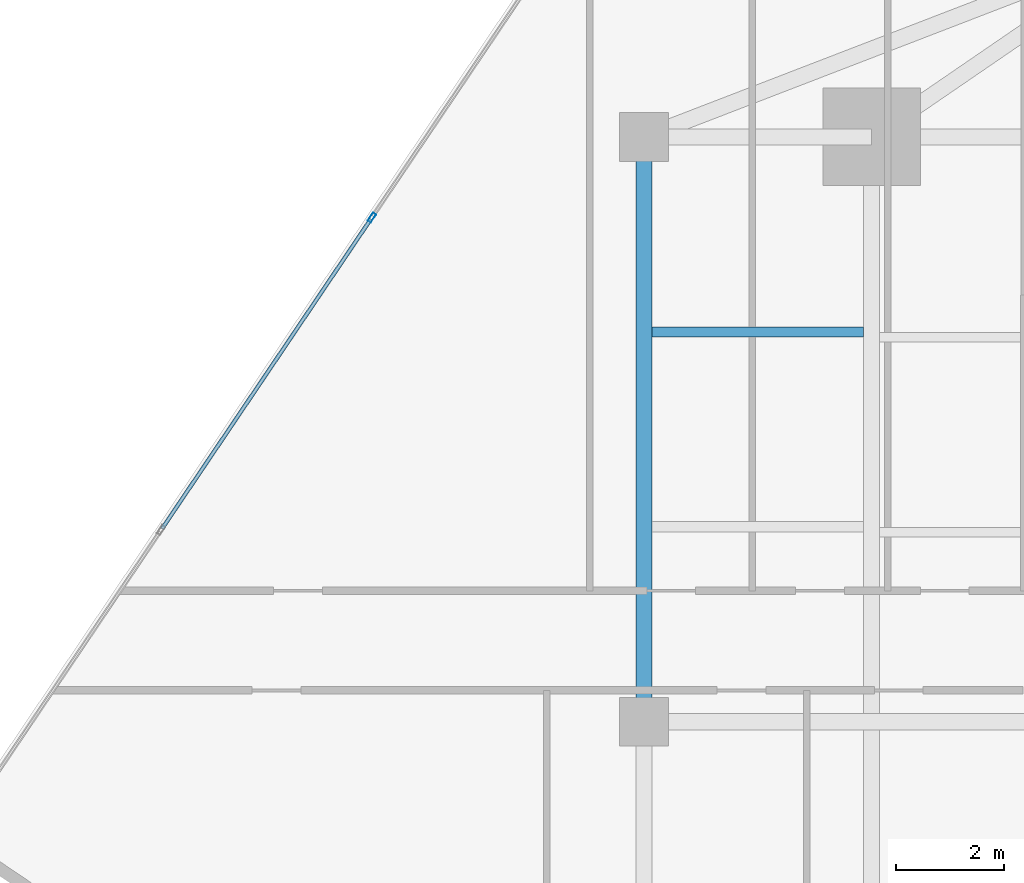
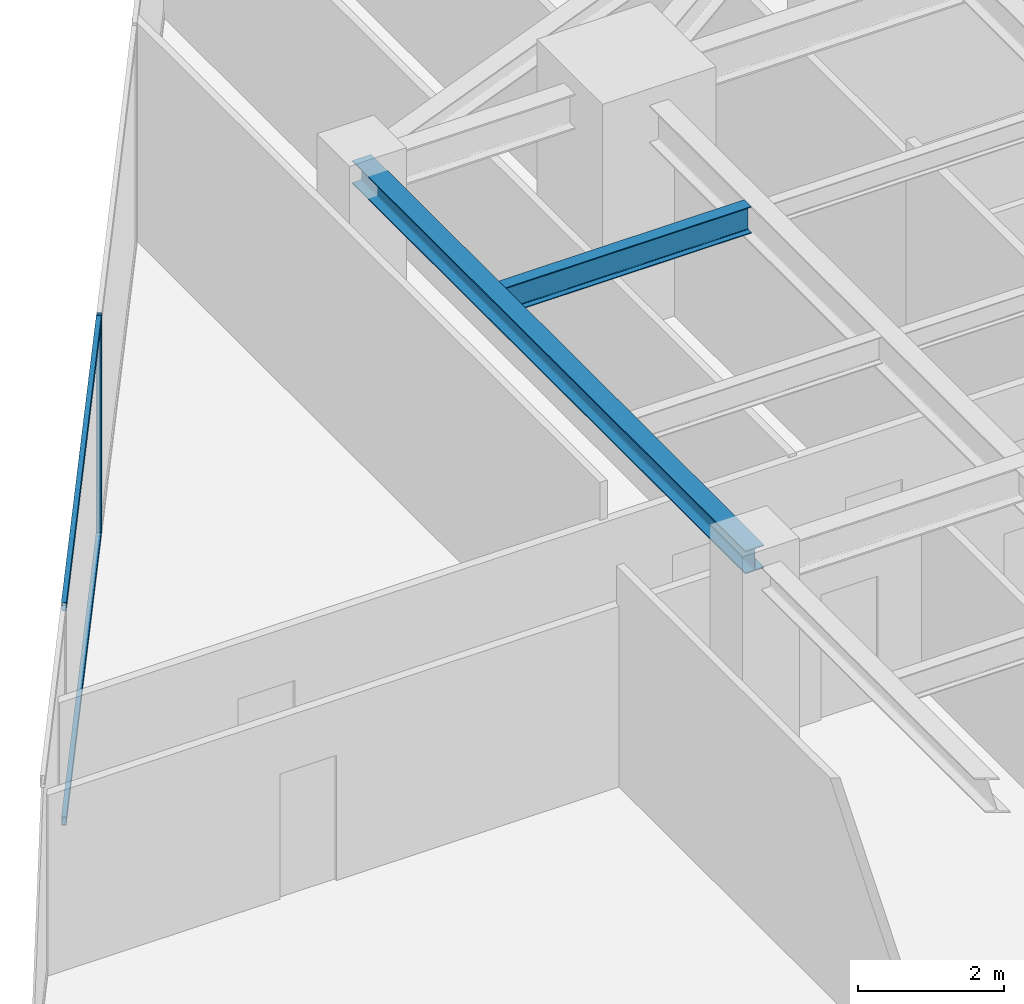
# One storey, part 13 of 27: 3 members, 2 beams, 1 element without a shape of its own.
"""IFC4 building model written with IfcOpenShell, lengths in metres."""

from ifc_helpers import new_model, si_unit, direction, frame, origin, origin_2d, place, context, subcontext, project, spatial, hollow_rectangle, i_section, extrude, source, transform, mapped, material, material_profile, profile_set, type_object, type_shapes, element, aggregate, save


model = new_model("IFC4")

# Units and contexts
model_context = context("Model", 3, precision=1e-05, world=origin(), true_north=direction((0.0, 1.0)))
body_context = subcontext(model_context, "Body", "Model", "MODEL_VIEW")
ifc_project = project(units=[si_unit("LENGTHUNIT", "METRE"), si_unit("AREAUNIT", "SQUARE_METRE"), si_unit("VOLUMEUNIT", "CUBIC_METRE"), si_unit("PLANEANGLEUNIT", "RADIAN"), si_unit("MASSUNIT", "GRAM", prefix="KILO")], contexts=[model_context])

# Site, building, storey
site_placement = place(None, origin())
site = spatial("IfcSite", under=ifc_project, at=site_placement, CompositionType="ELEMENT")
building_placement = place(site_placement, origin())
building = spatial("IfcBuilding", under=site, at=building_placement, Name="Krantzveldt Concourse Tower", CompositionType="ELEMENT")
storey_placement = place(building_placement, frame((0.0, 0.0, 185.699951171875)))
storey = spatial("IfcBuildingStorey", under=building, at=storey_placement, Name="L45", CompositionType="ELEMENT", Elevation=185.699951171875)

# Beams
ifc_material_1 = material(Name="Steel S355JR", Category="steel")
ifc_material_profile_1 = material_profile(ifc_material_1, i_section(OverallWidth=0.300048828125, OverallDepth=0.389892578125, WebThickness=0.010986328125, FlangeThickness=0.01904296875, FilletRadius=0.027099609375, at=origin_2d()), Name="Steel S355JR", Category="steel")
ifc_profile_set_1 = profile_set([ifc_material_profile_1], Name="Steel S355JR - HEA 400")
beam_type_1 = type_object("IfcBeamType", Name="BM-SP-HEA400", PredefinedType="SPANDREL", material=ifc_profile_set_1)
shared_shape_1 = source(origin(), body_context, "Body", "SweptSolid", [
    extrude(i_section(OverallWidth=0.300048828125, OverallDepth=0.389892578125, WebThickness=0.010986328125, FlangeThickness=0.01904296875, FilletRadius=0.027099609375, at=origin_2d()), origin(), (0.0, 0.0, 1.0), 10.800048828125),
])
type_shapes(beam_type_1, [shared_shape_1])
beam_1_placement = place(storey_placement, frame((21.0, 26.699951171875, 3.47509765625), z_axis=(0.0, 1.0, 0.0), x_axis=(-1.0, 0.0, 0.0)))
element("IfcBeam", 1, at=beam_1_placement, inside=storey, type_object=beam_type_1, Name="L45 Tower Girder SP-R02", PredefinedType="SPANDREL", context=body_context, shape_type="MappedRepresentation", body=[
    mapped(shared_shape_1, transform((0.0, 0.0, 0.0), x_axis=(1.0, 0.0, 0.0), y_axis=(0.0, 1.0, 0.0), z_axis=(0.0, 0.0, 1.0), scale=1.0)),
])
ifc_material_profile_2 = material_profile(ifc_material_1, i_section(OverallWidth=0.18994140625, OverallDepth=0.449951171875, WebThickness=0.009521484375, FlangeThickness=0.0146484375, FilletRadius=0.02099609375, at=origin_2d()), Name="Steel S355JR", Category="steel")
ifc_profile_set_2 = profile_set([ifc_material_profile_2], Name="Steel S355JR - IPE 450")
beam_type_2 = type_object("IfcBeamType", Name="BM-J-IPE450", PredefinedType="JOIST", material=ifc_profile_set_2)
shared_shape_2 = source(origin(), body_context, "Body", "SweptSolid", [
    extrude(i_section(OverallWidth=0.18994140625, OverallDepth=0.449951171875, WebThickness=0.009521484375, FlangeThickness=0.0146484375, FilletRadius=0.02099609375, at=origin_2d()), origin(), (0.0, 0.0, 1.0), 3.900146484375),
])
type_shapes(beam_type_2, [shared_shape_2])
beam_2_placement = place(storey_placement, frame((21.14990234375, 33.89990234375, 3.445068359375), z_axis=(1.0, 0.0, 0.0), x_axis=(0.0, 1.0, 0.0)))
element("IfcBeam", 2, at=beam_2_placement, inside=storey, type_object=beam_type_2, Name="L45 Secondary Floor Joist JW-4", PredefinedType="JOIST", context=body_context, shape_type="MappedRepresentation", body=[
    mapped(shared_shape_2, transform((0.0, 0.0, 0.0), x_axis=(1.0, 0.0, 0.0), y_axis=(0.0, 1.0, 0.0), z_axis=(0.0, 0.0, 1.0), scale=1.0)),
])

# Curtain wall, members
ifc_material_2 = material(Name="Anodised aluminium 6063-T6", Category="aluminium")
curtain_wall_type = type_object("IfcCurtainWallType", Name="CW3", PredefinedType="USERDEFINED", material=ifc_material_2)
curtain_wall_placement = place(storey_placement, origin())
curtain_wall = element("IfcCurtainWall", 3, at=curtain_wall_placement, inside=storey, type_object=curtain_wall_type, Name="CW-L45-F01", ObjectType="UNITISED CURTAIN WALL", PredefinedType="USERDEFINED")
ifc_material_profile_3 = material_profile(ifc_material_2, hollow_rectangle(XDim=0.070068359375, YDim=0.179931640625, WallThickness=0.0048828125, at=origin_2d()), Name="Anodised aluminium 6063-T6", Category="aluminium")
ifc_profile_set_3 = profile_set([ifc_material_profile_3], Name="Anodised aluminium 6063-T6 - ALU-MULL 180x70x5")
member_type_1 = type_object("IfcMemberType", Name="CW-MUL-180", PredefinedType="MULLION", material=ifc_profile_set_3)
shared_shape_3 = source(origin(), body_context, "Body", "SweptSolid", [
    extrude(hollow_rectangle(XDim=0.070068359375, YDim=0.179931640625, WallThickness=0.0048828125, at=origin_2d()), origin(), (0.0, 0.0, 1.0), 3.670166015625),
])
type_shapes(member_type_1, [shared_shape_3])
member_1_placement = place(storey_placement, frame((15.97265625, 36.010986328125, 0.0), z_axis=(0.0, 0.0, 1.0), x_axis=(0.829037635301, -0.559192810447, 0.0)))
member_1 = element("IfcMember", 4, at=member_1_placement, type_object=member_type_1, Name="CW-Z34 mullion 4", PredefinedType="MULLION", context=body_context, shape_type="MappedRepresentation", body=[
    mapped(shared_shape_3, transform((0.0, 0.0, 0.0), x_axis=(1.0, 0.0, 0.0), y_axis=(0.0, 1.0, 0.0), z_axis=(0.0, 0.0, 1.0), scale=1.0)),
])
ifc_material_profile_4 = material_profile(ifc_material_2, hollow_rectangle(XDim=0.070068359375, YDim=0.139892578125, WallThickness=0.0048828125, at=origin_2d()), Name="Anodised aluminium 6063-T6", Category="aluminium")
ifc_profile_set_4 = profile_set([ifc_material_profile_4], Name="Anodised aluminium 6063-T6 - ALU-TRAN 140x70x5")
member_type_2 = type_object("IfcMemberType", Name="CW-TRN-150", PredefinedType="USERDEFINED", material=ifc_profile_set_4)
shared_shape_4 = source(origin(), body_context, "Body", "SweptSolid", [
    extrude(hollow_rectangle(XDim=0.070068359375, YDim=0.139892578125, WallThickness=0.0048828125, at=origin_2d()), origin(), (0.0, 0.0, 1.0), 6.89013671875),
])
type_shapes(member_type_2, [shared_shape_4])
member_2_placement = place(storey_placement, frame((15.953125, 35.98193359375, 0.03515625), z_axis=(-0.559181316648, -0.829045387848, 0.0), x_axis=(0.829045387848, -0.559181316648, 0.0)))
member_2 = element("IfcMember", 5, at=member_2_placement, type_object=member_type_2, Name="CW-Z34 transom 4.1", ObjectType="TRANSOM", PredefinedType="USERDEFINED", context=body_context, shape_type="MappedRepresentation", body=[
    mapped(shared_shape_4, transform((0.0, 0.0, 0.0), x_axis=(1.0, 0.0, 0.0), y_axis=(0.0, 1.0, 0.0), z_axis=(0.0, 0.0, 1.0), scale=1.0)),
])
member_3_placement = place(storey_placement, frame((15.953125, 35.98193359375, 3.635009765625), z_axis=(-0.559181316648, -0.829045387848, 0.0), x_axis=(0.829045387848, -0.559181316648, 0.0)))
member_3 = element("IfcMember", 6, at=member_3_placement, type_object=member_type_2, Name="CW-Z34 transom 4.2", ObjectType="TRANSOM", PredefinedType="USERDEFINED", context=body_context, shape_type="MappedRepresentation", body=[
    mapped(shared_shape_4, transform((0.0, 0.0, 0.0), x_axis=(1.0, 0.0, 0.0), y_axis=(0.0, 1.0, 0.0), z_axis=(0.0, 0.0, 1.0), scale=1.0)),
])
aggregate(curtain_wall, [member_1, member_2, member_3])

save(model, "model.ifc")
